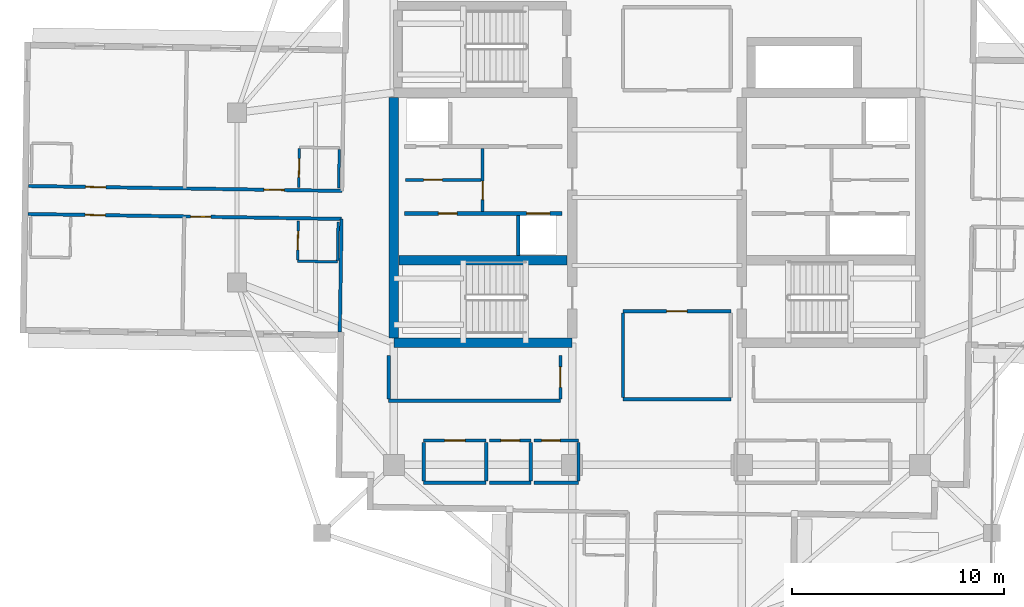
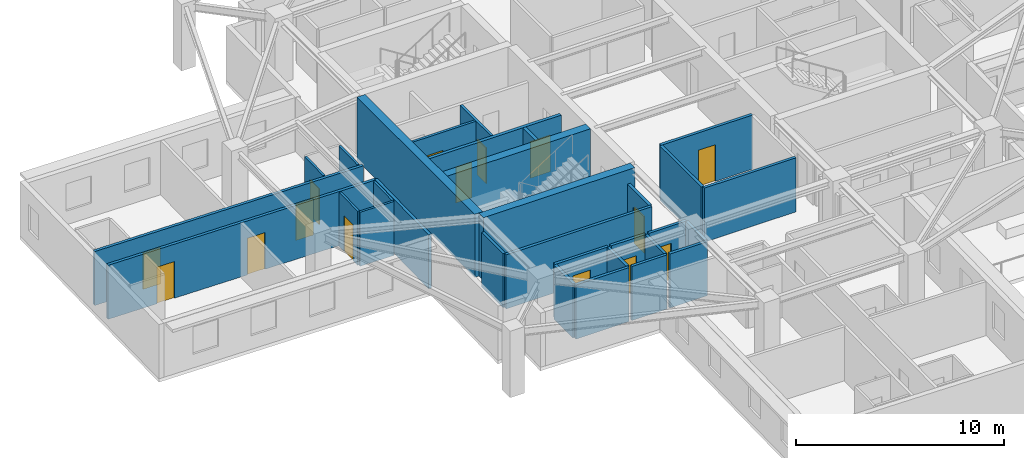
# One storey, part 4 of 13: 31 walls, 15 doors, 15 openings.
"""IFC4 building model written with IfcOpenShell, lengths in metres."""

from ifc_helpers import new_model, si_unit, direction, frame, frame_2d, origin, place, context, subcontext, project, spatial, rectangle, extrude, material, layer, layer_set, type_object, element, fill, save


model = new_model("IFC4")

# Units and contexts
model_context = context("Model", 3, precision=1e-05, world=origin(), true_north=direction((0.0, 1.0)))
body_context = subcontext(model_context, "Body", "Model", "MODEL_VIEW")
ifc_project = project(units=[si_unit("LENGTHUNIT", "METRE"), si_unit("AREAUNIT", "SQUARE_METRE"), si_unit("VOLUMEUNIT", "CUBIC_METRE"), si_unit("PLANEANGLEUNIT", "RADIAN"), si_unit("MASSUNIT", "GRAM", prefix="KILO")], contexts=[model_context])

# Site, building, storey
site_placement = place(None, origin())
site = spatial("IfcSite", under=ifc_project, at=site_placement, CompositionType="ELEMENT")
building_placement = place(site_placement, origin())
building = spatial("IfcBuilding", under=site, at=building_placement, Name="Qingluan Cross Belvedere", CompositionType="ELEMENT")
storey_placement = place(building_placement, frame((0.0, 0.0, 228.60009765625)))
storey = spatial("IfcBuildingStorey", under=building, at=storey_placement, Name="L57", CompositionType="ELEMENT", Elevation=228.60009765625)

# Walls
ifc_material_1 = material(Name="Concrete C50", Category="concrete")
ifc_layer_1 = layer(ifc_material_1, 0.449951171875, Name="CoreShearWall_450")
ifc_layer_set_1 = layer_set([ifc_layer_1], Name="Concrete C50")
wall_type_1 = type_object("IfcWallType", Name="CoreShearWall_450", PredefinedType="SHEAR", material=ifc_layer_set_1)
wall_1_placement = place(storey_placement, frame((-12.39990234375, -6.85009765625, 0.0), z_axis=(0.0, 0.0, 1.0), x_axis=(1.0, 0.0, 0.0)))
element("IfcWall", 1, at=wall_1_placement, inside=storey, type_object=wall_type_1, Name="Split core W shear wall L57-S", PredefinedType="SHEAR", context=body_context, shape_type="SweptSolid", body=[
    extrude(rectangle(XDim=8.39990234375, YDim=0.449951171875, at=frame_2d((4.199951171875, 0.0))), origin(), (0.0, 0.0, 1.0), 3.699951171875),
])
wall_2_placement = place(storey_placement, frame((-12.39990234375, -6.6201171875, 0.0), z_axis=(0.0, 0.0, 1.0), x_axis=(0.0, 1.0, 0.0)))
element("IfcWall", 2, at=wall_2_placement, inside=storey, type_object=wall_type_1, Name="Split core W shear wall L57-W", PredefinedType="SHEAR", context=body_context, shape_type="SweptSolid", body=[
    extrude(rectangle(XDim=11.340087890625, YDim=0.449951171875, at=frame_2d((5.669921875, 0.0))), origin(), (0.0, 0.0, 1.0), 3.699951171875),
])
wall_3_placement = place(storey_placement, frame((-12.169921875, -2.9599609375, 0.0), z_axis=(0.0, 0.0, 1.0), x_axis=(1.0, 0.0, 0.0)))
element("IfcWall", 3, at=wall_3_placement, inside=storey, type_object=wall_type_1, Name="Split core W shear wall L57-M", PredefinedType="SHEAR", context=body_context, shape_type="SweptSolid", body=[
    extrude(rectangle(XDim=7.93994140625, YDim=0.449951171875, at=frame_2d((3.969970703125, 0.0))), origin(), (0.0, 0.0, 1.0), 3.699951171875),
])

# Wall, opening, door
ifc_material_2 = material(Name="Gypsum plasterboard on steel stud acoustic partition", Category="steel")
ifc_layer_2 = layer(ifc_material_2, 0.159912109375, Name="CorridorPartition_160")
ifc_layer_set_2 = layer_set([ifc_layer_2], Name="Gypsum plasterboard on steel stud acoustic partition")
wall_type_2 = type_object("IfcWallType", Name="CorridorPartition_160", PredefinedType="PARTITIONING", material=ifc_layer_set_2)
wall_4_placement = place(storey_placement, frame((-11.85009765625, 0.830078125, 0.0), z_axis=(0.0, 0.0, 1.0), x_axis=(1.0, 0.0, 0.0)))
wall_4 = element("IfcWall", 4, at=wall_4_placement, inside=storey, type_object=wall_type_2, Name="Partition L57:w", PredefinedType="PARTITIONING", context=body_context, shape_type="SweptSolid", body=[
    extrude(rectangle(XDim=3.552001953125, YDim=0.139892578125, at=frame_2d((1.77587890625, 0.0))), origin(), (0.0, 0.0, 1.0), 3.169921875),
])
opening_1_placement = place(wall_4_placement, frame((0.85009765625, 0.0, 0.0)))
opening_1 = element("IfcOpeningElement", 5, at=opening_1_placement, cuts=wall_4, Name="Opening FD-B10", PredefinedType="OPENING", context=body_context, shape_type="SweptSolid", body=[
    extrude(rectangle(XDim=0.8798828125, YDim=2.10009765625, at=frame_2d((0.43994140625, 1.050048828125))), frame((0.0, 0.079833984375, 0.0), z_axis=(0.0, -1.0, 0.0), x_axis=(1.0, 0.0, 0.0)), (0.0, 0.0, 1.0), 0.159912109375),
])
ifc_material_3 = material(Name="Steel Class B service fire door", Category="steel")
door_type_1 = type_object("IfcDoorType", Name="RiserServiceFireDoor_FDB", OperationType="NOTDEFINED", PredefinedType="DOOR", material=ifc_material_3)
door_1_placement = place(opening_1_placement, origin())
door_1 = element("IfcDoor", 6, at=door_1_placement, inside=storey, type_object=door_type_1, Name="Service closet inner door L57", OperationType="SINGLE_SWING_RIGHT", OverallHeight=2.10009765625, OverallWidth=0.8798828125, PredefinedType="DOOR", context=body_context, shape_type="SweptSolid", body=[
    extrude(rectangle(XDim=0.8798828125, YDim=2.10009765625, at=frame_2d((0.43994140625, 1.050048828125))), frame((0.0, 0.02490234375, 0.0), z_axis=(0.0, -1.0, 0.0), x_axis=(1.0, 0.0, 0.0)), (0.0, 0.0, 1.0), 0.050048828125),
])
fill(opening_1, door_1)

# Wall
wall_5_placement = place(storey_placement, frame((-11.0, -13.449951171875, 0.0), z_axis=(0.0, 0.0, 1.0), x_axis=(1.0, 0.0, 0.0)))
element("IfcWall", 7, at=wall_5_placement, inside=storey, type_object=wall_type_2, Name="Partition L57:q_sw_occ:S", PredefinedType="PARTITIONING", context=body_context, shape_type="SweptSolid", body=[
    extrude(rectangle(XDim=2.949951171875, YDim=0.159912109375, at=frame_2d((1.47509765625, 0.0))), origin(), (0.0, 0.0, 1.0), 3.169921875),
])

# Wall, opening, door
wall_6_placement = place(storey_placement, frame((-11.0, -11.449951171875, 0.0), z_axis=(0.0, 0.0, 1.0), x_axis=(1.0, 0.0, 0.0)))
wall_6 = element("IfcWall", 8, at=wall_6_placement, inside=storey, type_object=wall_type_2, Name="Partition L57:q_sw_occ:N", PredefinedType="PARTITIONING", context=body_context, shape_type="SweptSolid", body=[
    extrude(rectangle(XDim=2.949951171875, YDim=0.159912109375, at=frame_2d((1.47509765625, 0.0))), origin(), (0.0, 0.0, 1.0), 3.169921875),
])
opening_2_placement = place(wall_6_placement, frame((0.9951171875, 0.0, 0.0)))
opening_2 = element("IfcOpeningElement", 9, at=opening_2_placement, cuts=wall_6, Name="Opening GD-10", PredefinedType="OPENING", context=body_context, shape_type="SweptSolid", body=[
    extrude(rectangle(XDim=0.9599609375, YDim=2.14990234375, at=frame_2d((0.47998046875, 1.074951171875))), frame((0.0, 0.08984375, 0.0), z_axis=(0.0, -1.0, 0.0), x_axis=(1.0, 0.0, 0.0)), (0.0, 0.0, 1.0), 0.179931640625),
])
ifc_material_4 = material(Name="Timber oak fire-rated acoustic guestroom door", Category="wood")
door_type_2 = type_object("IfcDoorType", Name="GuestEntryDoor_FD60", OperationType="NOTDEFINED", PredefinedType="DOOR", material=ifc_material_4)
door_2_placement = place(opening_2_placement, origin())
door_2 = element("IfcDoor", 10, at=door_2_placement, inside=storey, type_object=door_type_2, Name="Thermal spa suite L57 door", OperationType="SINGLE_SWING_RIGHT", OverallHeight=2.14990234375, OverallWidth=0.9599609375, PredefinedType="DOOR", context=body_context, shape_type="SweptSolid", body=[
    extrude(rectangle(XDim=0.9599609375, YDim=2.14990234375, at=frame_2d((0.47998046875, 1.074951171875))), frame((0.0, 0.02490234375, 0.0), z_axis=(0.0, -1.0, 0.0), x_axis=(1.0, 0.0, 0.0)), (0.0, 0.0, 1.0), 0.050048828125),
])
fill(opening_2, door_2)

# Walls
for number, where, z_axis, x_axis, name in (
    (11, (-11.0, -13.364990234375, 0.0), (0.0, 0.0, 1.0), (0.0, 1.0, 0.0), "Partition L57:q_sw_occ:W"),
    (12, (-8.050048828125, -13.364990234375, 0.0), (0.0, 0.0, 1.0), (0.0, 1.0, 0.0), "Partition L57:q_sw_occ:E"),
):
    element("IfcWall", number, at=place(storey_placement, frame(where, z_axis=z_axis, x_axis=x_axis)), inside=storey, type_object=wall_type_2, Name=name, PredefinedType="PARTITIONING", context=body_context, shape_type="SweptSolid", body=[
        extrude(rectangle(XDim=1.830078125, YDim=0.159912109375, at=frame_2d((0.9150390625, 0.0))), origin(), (0.0, 0.0, 1.0), 3.169921875),
    ])
wall_7_placement = place(storey_placement, frame((-7.889892578125, -13.449951171875, 0.0), z_axis=(0.0, 0.0, 1.0), x_axis=(1.0, 0.0, 0.0)))
element("IfcWall", 13, at=wall_7_placement, inside=storey, type_object=wall_type_2, Name="Partition L57:hk_linen:S", PredefinedType="PARTITIONING", context=body_context, shape_type="SweptSolid", body=[
    extrude(rectangle(XDim=1.93994140625, YDim=0.159912109375, at=frame_2d((0.969970703125, 0.0))), origin(), (0.0, 0.0, 1.0), 3.169921875),
])

# Wall, opening, door
wall_8_placement = place(storey_placement, frame((-7.889892578125, -11.449951171875, 0.0), z_axis=(0.0, 0.0, 1.0), x_axis=(1.0, 0.0, 0.0)))
wall_8 = element("IfcWall", 14, at=wall_8_placement, inside=storey, type_object=wall_type_2, Name="Partition L57:hk_linen:N", PredefinedType="PARTITIONING", context=body_context, shape_type="SweptSolid", body=[
    extrude(rectangle(XDim=1.93994140625, YDim=0.159912109375, at=frame_2d((0.969970703125, 0.0))), origin(), (0.0, 0.0, 1.0), 3.169921875),
])
opening_3_placement = place(wall_8_placement, frame((0.530029296875, 0.0, 0.0)))
opening_3 = element("IfcOpeningElement", 15, at=opening_3_placement, cuts=wall_8, Name="Opening FD-B10", PredefinedType="OPENING", context=body_context, shape_type="SweptSolid", body=[
    extrude(rectangle(XDim=0.8798828125, YDim=2.10009765625, at=frame_2d((0.43994140625, 1.050048828125))), frame((0.0, 0.08984375, 0.0), z_axis=(0.0, -1.0, 0.0), x_axis=(1.0, 0.0, 0.0)), (0.0, 0.0, 1.0), 0.179931640625),
])
door_3_placement = place(opening_3_placement, origin())
door_3 = element("IfcDoor", 16, at=door_3_placement, inside=storey, type_object=door_type_1, Name="Housekeeping and linen store L57 door", OperationType="SINGLE_SWING_LEFT", OverallHeight=2.10009765625, OverallWidth=0.8798828125, PredefinedType="DOOR", context=body_context, shape_type="SweptSolid", body=[
    extrude(rectangle(XDim=0.8798828125, YDim=2.10009765625, at=frame_2d((0.43994140625, 1.050048828125))), frame((0.0, 0.02490234375, 0.0), z_axis=(0.0, -1.0, 0.0), x_axis=(1.0, 0.0, 0.0)), (0.0, 0.0, 1.0), 0.050048828125),
])
fill(opening_3, door_3)

# Walls
wall_9_placement = place(storey_placement, frame((-5.949951171875, -13.364990234375, 0.0), z_axis=(0.0, 0.0, 1.0), x_axis=(0.0, 1.0, 0.0)))
element("IfcWall", 17, at=wall_9_placement, inside=storey, type_object=wall_type_2, Name="Partition L57:hk_linen:E", PredefinedType="PARTITIONING", context=body_context, shape_type="SweptSolid", body=[
    extrude(rectangle(XDim=1.830078125, YDim=0.159912109375, at=frame_2d((0.9150390625, 0.0))), origin(), (0.0, 0.0, 1.0), 3.169921875),
])
wall_10_placement = place(storey_placement, frame((-5.7900390625, -13.449951171875, 0.0), z_axis=(0.0, 0.0, 1.0), x_axis=(1.0, 0.0, 0.0)))
element("IfcWall", 18, at=wall_10_placement, inside=storey, type_object=wall_type_2, Name="Partition L57:floor_acc_wc:S", PredefinedType="PARTITIONING", context=body_context, shape_type="SweptSolid", body=[
    extrude(rectangle(XDim=2.090087890625, YDim=0.159912109375, at=frame_2d((1.044921875, 0.0))), origin(), (0.0, 0.0, 1.0), 3.169921875),
])

# Wall, opening, door
wall_11_placement = place(storey_placement, frame((-5.7900390625, -11.449951171875, 0.0), z_axis=(0.0, 0.0, 1.0), x_axis=(1.0, 0.0, 0.0)))
wall_11 = element("IfcWall", 19, at=wall_11_placement, inside=storey, type_object=wall_type_2, Name="Partition L57:floor_acc_wc:N", PredefinedType="PARTITIONING", context=body_context, shape_type="SweptSolid", body=[
    extrude(rectangle(XDim=2.090087890625, YDim=0.159912109375, at=frame_2d((1.044921875, 0.0))), origin(), (0.0, 0.0, 1.0), 3.169921875),
])
opening_4_placement = place(wall_11_placement, frame((0.35009765625, 0.0, 0.0)))
opening_4 = element("IfcOpeningElement", 20, at=opening_4_placement, cuts=wall_11, Name="Opening BD-08", PredefinedType="OPENING", context=body_context, shape_type="SweptSolid", body=[
    extrude(rectangle(XDim=0.8798828125, YDim=2.14990234375, at=frame_2d((0.43994140625, 1.074951171875))), frame((0.0, 0.08984375, 0.0), z_axis=(0.0, -1.0, 0.0), x_axis=(1.0, 0.0, 0.0)), (0.0, 0.0, 1.0), 0.179931640625),
])
ifc_material_5 = material(Name="Moisture-sealed timber accessible WC door", Category="wood")
door_type_3 = type_object("IfcDoorType", Name="AccessibleWCDoor_880", OperationType="NOTDEFINED", PredefinedType="DOOR", material=ifc_material_5)
door_4_placement = place(opening_4_placement, origin())
door_4 = element("IfcDoor", 21, at=door_4_placement, inside=storey, type_object=door_type_3, Name="Accessible guest washroom L57 door", OperationType="SINGLE_SWING_RIGHT", OverallHeight=2.14990234375, OverallWidth=0.8798828125, PredefinedType="DOOR", context=body_context, shape_type="SweptSolid", body=[
    extrude(rectangle(XDim=0.8798828125, YDim=2.14990234375, at=frame_2d((0.43994140625, 1.074951171875))), frame((0.0, 0.02490234375, 0.0), z_axis=(0.0, -1.0, 0.0), x_axis=(1.0, 0.0, 0.0)), (0.0, 0.0, 1.0), 0.050048828125),
])
fill(opening_4, door_4)

# Walls
wall_12_placement = place(storey_placement, frame((-3.699951171875, -13.364990234375, 0.0), z_axis=(0.0, 0.0, 1.0), x_axis=(0.0, 1.0, 0.0)))
element("IfcWall", 22, at=wall_12_placement, inside=storey, type_object=wall_type_2, Name="Partition L57:floor_acc_wc:E", PredefinedType="PARTITIONING", context=body_context, shape_type="SweptSolid", body=[
    extrude(rectangle(XDim=1.830078125, YDim=0.159912109375, at=frame_2d((0.9150390625, 0.0))), origin(), (0.0, 0.0, 1.0), 3.169921875),
])
wall_13_placement = place(storey_placement, frame((-1.60009765625, -9.5, 0.0), z_axis=(0.0, 0.0, 1.0), x_axis=(1.0, 0.0, 0.0)))
element("IfcWall", 23, at=wall_13_placement, inside=storey, type_object=wall_type_2, Name="Partition L57:sky_south_alcove:S", PredefinedType="PARTITIONING", context=body_context, shape_type="SweptSolid", body=[
    extrude(rectangle(XDim=5.080078125, YDim=0.159912109375, at=frame_2d((2.5400390625, 0.0))), origin(), (0.0, 0.0, 1.0), 3.169921875),
])

# Wall, opening, door
wall_14_placement = place(storey_placement, frame((-1.60009765625, -5.35009765625, 0.0), z_axis=(0.0, 0.0, 1.0), x_axis=(1.0, 0.0, 0.0)))
wall_14 = element("IfcWall", 24, at=wall_14_placement, inside=storey, type_object=wall_type_2, Name="Partition L57:sky_south_alcove:N", PredefinedType="PARTITIONING", context=body_context, shape_type="SweptSolid", body=[
    extrude(rectangle(XDim=5.080078125, YDim=0.159912109375, at=frame_2d((2.5400390625, 0.0))), origin(), (0.0, 0.0, 1.0), 3.169921875),
])
opening_5_placement = place(wall_14_placement, frame((2.06005859375, 0.0, 0.0)))
opening_5 = element("IfcOpeningElement", 25, at=opening_5_placement, cuts=wall_14, Name="Opening GD-10", PredefinedType="OPENING", context=body_context, shape_type="SweptSolid", body=[
    extrude(rectangle(XDim=0.9599609375, YDim=2.14990234375, at=frame_2d((0.47998046875, 1.074951171875))), frame((0.0, 0.08984375, 0.0), z_axis=(0.0, -1.0, 0.0), x_axis=(1.0, 0.0, 0.0)), (0.0, 0.0, 1.0), 0.179931640625),
])
door_5_placement = place(opening_5_placement, origin())
door_5 = element("IfcDoor", 26, at=door_5_placement, inside=storey, type_object=door_type_2, Name="South horizon reading alcove L57 door", OperationType="SINGLE_SWING_RIGHT", OverallHeight=2.14990234375, OverallWidth=0.9599609375, PredefinedType="DOOR", context=body_context, shape_type="SweptSolid", body=[
    extrude(rectangle(XDim=0.9599609375, YDim=2.14990234375, at=frame_2d((0.47998046875, 1.074951171875))), frame((0.0, 0.02490234375, 0.0), z_axis=(0.0, -1.0, 0.0), x_axis=(1.0, 0.0, 0.0)), (0.0, 0.0, 1.0), 0.050048828125),
])
fill(opening_5, door_5)

# Walls
wall_15_placement = place(storey_placement, frame((-1.60009765625, -9.4150390625, 0.0), z_axis=(0.0, 0.0, 1.0), x_axis=(0.0, 1.0, 0.0)))
element("IfcWall", 27, at=wall_15_placement, inside=storey, type_object=wall_type_2, Name="Partition L57:sky_south_alcove:W", PredefinedType="PARTITIONING", context=body_context, shape_type="SweptSolid", body=[
    extrude(rectangle(XDim=3.97998046875, YDim=0.159912109375, at=frame_2d((1.989990234375, 0.0))), origin(), (0.0, 0.0, 1.0), 3.169921875),
])
wall_16_placement = place(storey_placement, frame((-12.64990234375, -9.580078125, 0.0), z_axis=(0.0, 0.0, 1.0), x_axis=(1.0, 0.0, 0.0)))
element("IfcWall", 28, at=wall_16_placement, inside=storey, type_object=wall_type_2, Name="Partition L57:rec_st4_w:S", PredefinedType="PARTITIONING", context=body_context, shape_type="SweptSolid", body=[
    extrude(rectangle(XDim=8.099853515625, YDim=0.159912109375, at=frame_2d((4.0498046875, 0.0))), origin(), (0.0, 0.0, 1.0), 3.169921875),
])
wall_17_placement = place(storey_placement, frame((-12.64990234375, -9.4951171875, 0.0), z_axis=(0.0, 0.0, 1.0), x_axis=(0.0, 1.0, 0.0)))
element("IfcWall", 29, at=wall_17_placement, inside=storey, type_object=wall_type_2, Name="Partition L57:rec_st4_w:W", PredefinedType="PARTITIONING", context=body_context, shape_type="SweptSolid", body=[
    extrude(rectangle(XDim=2.06005859375, YDim=0.159912109375, at=frame_2d((1.030029296875, 0.0))), origin(), (0.0, 0.0, 1.0), 3.169921875),
])

# Wall, opening, door
wall_18_placement = place(storey_placement, frame((-4.550048828125, -9.4951171875, 0.0), z_axis=(0.0, 0.0, 1.0), x_axis=(0.0, 1.0, 0.0)))
wall_18 = element("IfcWall", 30, at=wall_18_placement, inside=storey, type_object=wall_type_2, Name="Partition L57:rec_st4_w:E", PredefinedType="PARTITIONING", context=body_context, shape_type="SweptSolid", body=[
    extrude(rectangle(XDim=2.06005859375, YDim=0.159912109375, at=frame_2d((1.030029296875, 0.0))), origin(), (0.0, 0.0, 1.0), 3.169921875),
])
opening_6_placement = place(wall_18_placement, frame((0.550048828125, 0.0, 0.0)))
opening_6 = element("IfcOpeningElement", 31, at=opening_6_placement, cuts=wall_18, Name="Opening GD-10", PredefinedType="OPENING", context=body_context, shape_type="SweptSolid", body=[
    extrude(rectangle(XDim=0.9599609375, YDim=2.14990234375, at=frame_2d((0.47998046875, 1.074951171875))), frame((0.0, 0.08984375, 0.0), z_axis=(0.0, -1.0, 0.0), x_axis=(1.0, 0.0, 0.0)), (0.0, 0.0, 1.0), 0.179931640625),
])
door_6_placement = place(opening_6_placement, origin())
door_6 = element("IfcDoor", 32, at=door_6_placement, inside=storey, type_object=door_type_2, Name="Southwest club reading room L57 door", OperationType="SINGLE_SWING_RIGHT", OverallHeight=2.14990234375, OverallWidth=0.9599609375, PredefinedType="DOOR", context=body_context, shape_type="SweptSolid", body=[
    extrude(rectangle(XDim=0.9599609375, YDim=2.14990234375, at=frame_2d((0.47998046875, 1.074951171875))), frame((0.0, 0.02490234375, 0.0), z_axis=(0.0, -1.0, 0.0), x_axis=(1.0, 0.0, 0.0)), (0.0, 0.0, 1.0), 0.050048828125),
])
fill(opening_6, door_6)

# Wall, openings, doors
wall_19_placement = place(storey_placement, frame((-14.846923828125, 0.313232421875, 0.0), z_axis=(0.0, 0.0, 1.0), x_axis=(-0.999876642421, 0.015706684621, 0.0)))
wall_19 = element("IfcWall", 33, at=wall_19_placement, inside=storey, type_object=wall_type_2, Name="Partition L57:W:c0", PredefinedType="PARTITIONING", context=body_context, shape_type="SweptSolid", body=[
    extrude(rectangle(XDim=14.781982421875, YDim=0.159912109375, at=frame_2d((7.39111328125, 0.0))), origin(), (0.0, 0.0, 1.0), 3.169921875),
])
opening_7_placement = place(wall_19_placement, frame((2.721923828125, 0.0, 0.0)))
opening_7 = element("IfcOpeningElement", 34, at=opening_7_placement, cuts=wall_19, Name="Opening GD-10", PredefinedType="OPENING", context=body_context, shape_type="SweptSolid", body=[
    extrude(rectangle(XDim=0.9599609375, YDim=2.14990234375, at=frame_2d((0.47998046875, 1.074951171875))), frame((0.0, 0.08984375, 0.0), z_axis=(0.0, -1.0, 0.0), x_axis=(1.0, 0.0, 0.0)), (0.0, 0.0, 1.0), 0.179931640625),
])
opening_8_placement = place(wall_19_placement, frame((11.131103515625, 0.0, 0.0)))
opening_8 = element("IfcOpeningElement", 35, at=opening_8_placement, cuts=wall_19, Name="Opening GD-10", PredefinedType="OPENING", context=body_context, shape_type="SweptSolid", body=[
    extrude(rectangle(XDim=0.9599609375, YDim=2.14990234375, at=frame_2d((0.47998046875, 1.074951171875))), frame((0.0, 0.08984375, 0.0), z_axis=(0.0, -1.0, 0.0), x_axis=(1.0, 0.0, 0.0)), (0.0, 0.0, 1.0), 0.179931640625),
])
door_7_placement = place(opening_7_placement, origin())
door_7 = element("IfcDoor", 36, at=door_7_placement, inside=storey, type_object=door_type_2, Name="Guest entry fire door 5705", OperationType="SINGLE_SWING_LEFT", OverallHeight=2.14990234375, OverallWidth=0.9599609375, PredefinedType="DOOR", context=body_context, shape_type="SweptSolid", body=[
    extrude(rectangle(XDim=0.9599609375, YDim=2.14990234375, at=frame_2d((0.47998046875, 1.074951171875))), frame((0.0, 0.02490234375, 0.0), z_axis=(0.0, -1.0, 0.0), x_axis=(1.0, 0.0, 0.0)), (0.0, 0.0, 1.0), 0.050048828125),
])
fill(opening_7, door_7)
door_8_placement = place(opening_8_placement, origin())
door_8 = element("IfcDoor", 37, at=door_8_placement, inside=storey, type_object=door_type_2, Name="Guest entry fire door 5706", OperationType="SINGLE_SWING_LEFT", OverallHeight=2.14990234375, OverallWidth=0.9599609375, PredefinedType="DOOR", context=body_context, shape_type="SweptSolid", body=[
    extrude(rectangle(XDim=0.9599609375, YDim=2.14990234375, at=frame_2d((0.47998046875, 1.074951171875))), frame((0.0, 0.02490234375, 0.0), z_axis=(0.0, -1.0, 0.0), x_axis=(1.0, 0.0, 0.0)), (0.0, 0.0, 1.0), 0.050048828125),
])
fill(opening_8, door_8)

wall_20_placement = place(storey_placement, frame((-14.86767578125, -1.006591796875, 0.0), z_axis=(0.0, 0.0, 1.0), x_axis=(-0.999876638346, 0.015706944004, 0.0)))
wall_20 = element("IfcWall", 38, at=wall_20_placement, inside=storey, type_object=wall_type_2, Name="Partition L57:W:c1", PredefinedType="PARTITIONING", context=body_context, shape_type="SweptSolid", body=[
    extrude(rectangle(XDim=14.78173828125, YDim=0.159912109375, at=frame_2d((7.390869140625, 0.0))), origin(), (0.0, 0.0, 1.0), 3.169921875),
])
opening_9_placement = place(wall_20_placement, frame((6.156982421875, 0.0, 0.0)))
opening_9 = element("IfcOpeningElement", 39, at=opening_9_placement, cuts=wall_20, Name="Opening GD-10", PredefinedType="OPENING", context=body_context, shape_type="SweptSolid", body=[
    extrude(rectangle(XDim=0.9599609375, YDim=2.14990234375, at=frame_2d((0.47998046875, 1.074951171875))), frame((0.0, 0.08984375, 0.0), z_axis=(0.0, -1.0, 0.0), x_axis=(1.0, 0.0, 0.0)), (0.0, 0.0, 1.0), 0.179931640625),
])
opening_10_placement = place(wall_20_placement, frame((11.131103515625, 0.0, 0.0)))
opening_10 = element("IfcOpeningElement", 40, at=opening_10_placement, cuts=wall_20, Name="Opening GD-10", PredefinedType="OPENING", context=body_context, shape_type="SweptSolid", body=[
    extrude(rectangle(XDim=0.9599609375, YDim=2.14990234375, at=frame_2d((0.47998046875, 1.074951171875))), frame((0.0, 0.08984375, 0.0), z_axis=(0.0, -1.0, 0.0), x_axis=(1.0, 0.0, 0.0)), (0.0, 0.0, 1.0), 0.179931640625),
])
door_9_placement = place(opening_9_placement, origin())
door_9 = element("IfcDoor", 41, at=door_9_placement, inside=storey, type_object=door_type_2, Name="Guest entry fire door 5707", OperationType="SINGLE_SWING_LEFT", OverallHeight=2.14990234375, OverallWidth=0.9599609375, PredefinedType="DOOR", context=body_context, shape_type="SweptSolid", body=[
    extrude(rectangle(XDim=0.9599609375, YDim=2.14990234375, at=frame_2d((0.47998046875, 1.074951171875))), frame((0.0, 0.02490234375, 0.0), z_axis=(0.0, -1.0, 0.0), x_axis=(1.0, 0.0, 0.0)), (0.0, 0.0, 1.0), 0.050048828125),
])
fill(opening_9, door_9)
door_10_placement = place(opening_10_placement, origin())
door_10 = element("IfcDoor", 42, at=door_10_placement, inside=storey, type_object=door_type_2, Name="Guest entry fire door 5708", OperationType="SINGLE_SWING_LEFT", OverallHeight=2.14990234375, OverallWidth=0.9599609375, PredefinedType="DOOR", context=body_context, shape_type="SweptSolid", body=[
    extrude(rectangle(XDim=0.9599609375, YDim=2.14990234375, at=frame_2d((0.47998046875, 1.074951171875))), frame((0.0, 0.02490234375, 0.0), z_axis=(0.0, -1.0, 0.0), x_axis=(1.0, 0.0, 0.0)), (0.0, 0.0, 1.0), 0.050048828125),
])
fill(opening_10, door_10)

# Wall
wall_21_placement = place(storey_placement, frame((-14.86767578125, -1.006591796875, 0.0), z_axis=(0.0, 0.0, 1.0), x_axis=(-0.015705348516, -0.999876663408, 0.0)))
element("IfcWall", 43, at=wall_21_placement, inside=storey, type_object=wall_type_2, Name="Partition L57:W:s1", PredefinedType="PARTITIONING", context=body_context, shape_type="SweptSolid", body=[
    extrude(rectangle(XDim=5.33203125, YDim=0.159912109375, at=frame_2d((2.666015625, 0.0))), origin(), (0.0, 0.0, 1.0), 3.169921875),
])

# Wall, opening, door
ifc_material_6 = material(Name="Moisture-resistant gypsum board lining")
ifc_layer_3 = layer(ifc_material_6, 0.1201171875, Name="EnsuiteWetPartition_120")
ifc_layer_set_3 = layer_set([ifc_layer_3], Name="Moisture-resistant gypsum board lining")
wall_type_3 = type_object("IfcWallType", Name="EnsuiteWetPartition_120", PredefinedType="PARTITIONING", material=ifc_layer_set_3)
wall_22_placement = place(storey_placement, frame((-16.884521484375, 0.4853515625, 0.0), z_axis=(0.0, 0.0, 1.0), x_axis=(0.015696442504, 0.999876803258, 0.0)))
wall_22 = element("IfcWall", 44, at=wall_22_placement, inside=storey, type_object=wall_type_3, Name="Partition L57:W:bs0_0", PredefinedType="PARTITIONING", context=body_context, shape_type="SweptSolid", body=[
    extrude(rectangle(XDim=1.81982421875, YDim=0.1201171875, at=frame_2d((0.909912109375, 0.0))), origin(), (0.0, 0.0, 1.0), 3.169921875),
])
opening_11_placement = place(wall_22_placement, frame((0.469970703125, 0.0, 0.0)))
opening_11 = element("IfcOpeningElement", 45, at=opening_11_placement, cuts=wall_22, Name="Opening BD-09", PredefinedType="OPENING", context=body_context, shape_type="SweptSolid", body=[
    extrude(rectangle(XDim=0.8798828125, YDim=2.10009765625, at=frame_2d((0.43994140625, 1.050048828125))), frame((0.0, 0.070068359375, 0.0), z_axis=(0.0, -1.0, 0.0), x_axis=(1.0, 0.0, 0.0)), (0.0, 0.0, 1.0), 0.14013671875),
])
ifc_material_7 = material(Name="Moisture-sealed timber en-suite door", Category="wood")
door_type_4 = type_object("IfcDoorType", Name="BathroomDoor_880", OperationType="NOTDEFINED", PredefinedType="DOOR", material=ifc_material_7)
door_11_placement = place(opening_11_placement, origin())
door_11 = element("IfcDoor", 46, at=door_11_placement, inside=storey, type_object=door_type_4, Name="Bathroom door 5705", OperationType="SINGLE_SWING_RIGHT", OverallHeight=2.10009765625, OverallWidth=0.8798828125, PredefinedType="DOOR", context=body_context, shape_type="SweptSolid", body=[
    extrude(rectangle(XDim=0.8798828125, YDim=2.10009765625, at=frame_2d((0.43994140625, 1.050048828125))), frame((0.0, 0.02490234375, 0.0), z_axis=(0.0, -1.0, 0.0), x_axis=(1.0, 0.0, 0.0)), (0.0, 0.0, 1.0), 0.050048828125),
])
fill(opening_11, door_11)

# Wall
wall_23_placement = place(storey_placement, frame((-15.004638671875, 0.455810546875, 0.0), z_axis=(0.0, 0.0, 1.0), x_axis=(0.015696442504, 0.999876803258, 0.0)))
element("IfcWall", 47, at=wall_23_placement, inside=storey, type_object=wall_type_3, Name="Partition L57:W:bw0_0", PredefinedType="PARTITIONING", context=body_context, shape_type="SweptSolid", body=[
    extrude(rectangle(XDim=1.81982421875, YDim=0.1201171875, at=frame_2d((0.909912109375, 0.0))), origin(), (0.0, 0.0, 1.0), 3.169921875),
])

# Wall, opening, door
wall_24_placement = place(storey_placement, frame((-16.938232421875, -2.934326171875, 0.0), z_axis=(0.0, 0.0, 1.0), x_axis=(0.015694337248, 0.999876836305, 0.0)))
wall_24 = element("IfcWall", 48, at=wall_24_placement, inside=storey, type_object=wall_type_3, Name="Partition L57:W:bs1_0", PredefinedType="PARTITIONING", context=body_context, shape_type="SweptSolid", body=[
    extrude(rectangle(XDim=1.820068359375, YDim=0.1201171875, at=frame_2d((0.91015625, 0.0))), origin(), (0.0, 0.0, 1.0), 3.169921875),
])
opening_12_placement = place(wall_24_placement, frame((0.469970703125, 0.0, 0.0)))
opening_12 = element("IfcOpeningElement", 49, at=opening_12_placement, cuts=wall_24, Name="Opening BD-09", PredefinedType="OPENING", context=body_context, shape_type="SweptSolid", body=[
    extrude(rectangle(XDim=0.8798828125, YDim=2.10009765625, at=frame_2d((0.43994140625, 1.050048828125))), frame((0.0, 0.070068359375, 0.0), z_axis=(0.0, -1.0, 0.0), x_axis=(1.0, 0.0, 0.0)), (0.0, 0.0, 1.0), 0.14013671875),
])
door_12_placement = place(opening_12_placement, origin())
door_12 = element("IfcDoor", 50, at=door_12_placement, inside=storey, type_object=door_type_4, Name="Bathroom door 5707", OperationType="SINGLE_SWING_RIGHT", OverallHeight=2.10009765625, OverallWidth=0.8798828125, PredefinedType="DOOR", context=body_context, shape_type="SweptSolid", body=[
    extrude(rectangle(XDim=0.8798828125, YDim=2.10009765625, at=frame_2d((0.43994140625, 1.050048828125))), frame((0.0, 0.02490234375, 0.0), z_axis=(0.0, -1.0, 0.0), x_axis=(1.0, 0.0, 0.0)), (0.0, 0.0, 1.0), 0.050048828125),
])
fill(opening_12, door_12)

# Walls
wall_25_placement = place(storey_placement, frame((-15.058349609375, -2.9638671875, 0.0), z_axis=(0.0, 0.0, 1.0), x_axis=(0.015694337248, 0.999876836305, 0.0)))
element("IfcWall", 51, at=wall_25_placement, inside=storey, type_object=wall_type_3, Name="Partition L57:W:bw1_0", PredefinedType="PARTITIONING", context=body_context, shape_type="SweptSolid", body=[
    extrude(rectangle(XDim=1.820068359375, YDim=0.1201171875, at=frame_2d((0.91015625, 0.0))), origin(), (0.0, 0.0, 1.0), 3.169921875),
])
wall_26_placement = place(storey_placement, frame((-15.059326171875, -3.02880859375, 0.0), z_axis=(0.0, 0.0, 1.0), x_axis=(-0.999876553475, 0.01571234584, 0.0)))
element("IfcWall", 52, at=wall_26_placement, inside=storey, type_object=wall_type_3, Name="Partition L57:W:bc1_0", PredefinedType="PARTITIONING", context=body_context, shape_type="SweptSolid", body=[
    extrude(rectangle(XDim=1.880126953125, YDim=0.1201171875, at=frame_2d((0.93994140625, 0.0))), origin(), (0.0, 0.0, 1.0), 3.169921875),
])

# Wall, openings, doors
ifc_material_8 = material(Name="Concrete C40", Category="concrete")
ifc_layer_4 = layer(ifc_material_8, 0.219970703125, Name="ShaftEnclosureWall_250")
ifc_layer_set_4 = layer_set([ifc_layer_4], Name="Concrete C40")
wall_type_4 = type_object("IfcWallType", Name="ShaftEnclosureWall_250", PredefinedType="SOLIDWALL", material=ifc_layer_set_4)
wall_27_placement = place(storey_placement, frame((-11.89990234375, -0.75, 0.0), z_axis=(0.0, 0.0, 1.0), x_axis=(1.0, 0.0, 0.0)))
wall_27 = element("IfcWall", 53, at=wall_27_placement, inside=storey, type_object=wall_type_4, Name="Core-W mid hoistway wall L57", PredefinedType="SOLIDWALL", context=body_context, shape_type="SweptSolid", body=[
    extrude(rectangle(XDim=7.419921875, YDim=0.179931640625, at=frame_2d((3.7099609375, 0.0))), origin(), (0.0, 0.0, 1.0), 3.169921875),
])
opening_13_placement = place(wall_27_placement, frame((5.75, 0.0, 0.0)))
opening_13 = element("IfcOpeningElement", 54, at=opening_13_placement, cuts=wall_27, Name="Opening LD-11", PredefinedType="OPENING", context=body_context, shape_type="SweptSolid", body=[
    extrude(rectangle(XDim=1.10009765625, YDim=2.14990234375, at=frame_2d((0.550048828125, 1.074951171875))), frame((0.0, 0.099853515625, 0.0), z_axis=(0.0, -1.0, 0.0), x_axis=(1.0, 0.0, 0.0)), (0.0, 0.0, 1.0), 0.199951171875),
])
opening_14_placement = place(wall_27_placement, frame((1.60009765625, 0.0, 0.0)))
opening_14 = element("IfcOpeningElement", 55, at=opening_14_placement, cuts=wall_27, Name="Opening FD-B10", PredefinedType="OPENING", context=body_context, shape_type="SweptSolid", body=[
    extrude(rectangle(XDim=0.8798828125, YDim=2.10009765625, at=frame_2d((0.43994140625, 1.050048828125))), frame((0.0, 0.099853515625, 0.0), z_axis=(0.0, -1.0, 0.0), x_axis=(1.0, 0.0, 0.0)), (0.0, 0.0, 1.0), 0.199951171875),
])
ifc_material_9 = material(Name="Brushed stainless steel centre-opening lift landing door", Category="steel")
door_type_5 = type_object("IfcDoorType", Name="LiftLandingSlidingDoor_1100", OperationType="DOUBLE_DOOR_SLIDING", PredefinedType="DOOR", material=ifc_material_9)
door_13_placement = place(opening_13_placement, origin())
door_13 = element("IfcDoor", 56, at=door_13_placement, inside=storey, type_object=door_type_5, Name="Lift landing sliding door LP8 L57", OperationType="DOUBLE_DOOR_SLIDING", OverallHeight=2.14990234375, OverallWidth=1.10009765625, PredefinedType="DOOR", context=body_context, shape_type="SweptSolid", body=[
    extrude(rectangle(XDim=1.10009765625, YDim=2.14990234375, at=frame_2d((0.550048828125, 1.074951171875))), frame((0.0, 0.02490234375, 0.0), z_axis=(0.0, -1.0, 0.0), x_axis=(1.0, 0.0, 0.0)), (0.0, 0.0, 1.0), 0.050048828125),
])
fill(opening_13, door_13)
door_14_placement = place(opening_14_placement, origin())
door_14 = element("IfcDoor", 57, at=door_14_placement, inside=storey, type_object=door_type_1, Name="Upper-zone electrical room door L57", OperationType="SINGLE_SWING_RIGHT", OverallHeight=2.10009765625, OverallWidth=0.8798828125, PredefinedType="DOOR", context=body_context, shape_type="SweptSolid", body=[
    extrude(rectangle(XDim=0.8798828125, YDim=2.10009765625, at=frame_2d((0.43994140625, 1.050048828125))), frame((0.0, 0.02490234375, 0.0), z_axis=(0.0, -1.0, 0.0), x_axis=(1.0, 0.0, 0.0)), (0.0, 0.0, 1.0), 0.050048828125),
])
fill(opening_14, door_14)

# Wall
wall_28_placement = place(storey_placement, frame((-6.5400390625, -2.72998046875, 0.0), z_axis=(0.0, 0.0, 1.0), x_axis=(0.0, 1.0, 0.0)))
element("IfcWall", 58, at=wall_28_placement, inside=storey, type_object=wall_type_4, Name="Hoistway enclosure divider LP8W L57", PredefinedType="SOLIDWALL", context=body_context, shape_type="SweptSolid", body=[
    extrude(rectangle(XDim=1.889892578125, YDim=0.179931640625, at=frame_2d((0.94482421875, 0.0))), origin(), (0.0, 0.0, 1.0), 3.169921875),
])

# Wall, opening, door
wall_29_placement = place(storey_placement, frame((-8.219970703125, -0.64990234375, 0.0), z_axis=(0.0, 0.0, 1.0), x_axis=(0.0, 1.0, 0.0)))
wall_29 = element("IfcWall", 59, at=wall_29_placement, inside=storey, type_object=wall_type_4, Name="Core-W service corridor wall L57", PredefinedType="SOLIDWALL", context=body_context, shape_type="SweptSolid", body=[
    extrude(rectangle(XDim=2.9599609375, YDim=0.139892578125, at=frame_2d((1.47998046875, 0.0))), origin(), (0.0, 0.0, 1.0), 3.169921875),
])
opening_15_placement = place(wall_29_placement, frame((0.550048828125, 0.0, 0.0)))
opening_15 = element("IfcOpeningElement", 60, at=opening_15_placement, cuts=wall_29, Name="Opening FD-B10", PredefinedType="OPENING", context=body_context, shape_type="SweptSolid", body=[
    extrude(rectangle(XDim=0.8798828125, YDim=2.10009765625, at=frame_2d((0.43994140625, 1.050048828125))), frame((0.0, 0.079833984375, 0.0), z_axis=(0.0, -1.0, 0.0), x_axis=(1.0, 0.0, 0.0)), (0.0, 0.0, 1.0), 0.159912109375),
])
door_15_placement = place(opening_15_placement, origin())
door_15 = element("IfcDoor", 61, at=door_15_placement, inside=storey, type_object=door_type_1, Name="Core-W service room door L57", OperationType="SINGLE_SWING_RIGHT", OverallHeight=2.10009765625, OverallWidth=0.8798828125, PredefinedType="DOOR", context=body_context, shape_type="SweptSolid", body=[
    extrude(rectangle(XDim=0.8798828125, YDim=2.10009765625, at=frame_2d((0.43994140625, 1.050048828125))), frame((0.0, 0.02490234375, 0.0), z_axis=(0.0, -1.0, 0.0), x_axis=(1.0, 0.0, 0.0)), (0.0, 0.0, 1.0), 0.050048828125),
])
fill(opening_15, door_15)

save(model, "model.ifc")
